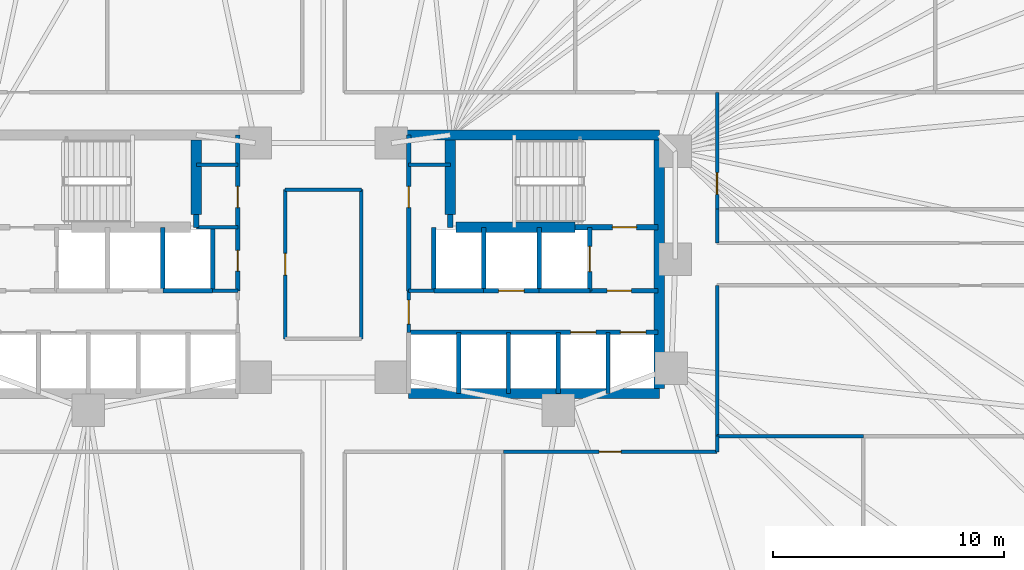
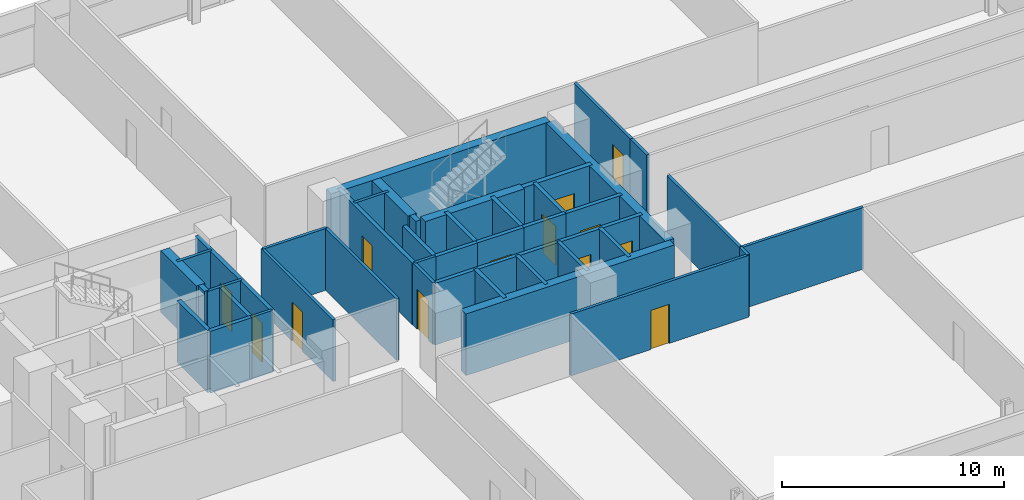
# One storey, part 13 of 17: 42 walls, 13 doors, 13 openings.
"""IFC4 building model written with IfcOpenShell, lengths in metres."""

from ifc_helpers import new_model, si_unit, direction, frame, frame_2d, origin, place, context, subcontext, project, spatial, rectangle, extrude, material, layer, layer_set, type_object, element, fill, save


model = new_model("IFC4")

# Units and contexts
model_context = context("Model", 3, precision=1e-05, world=origin(), true_north=direction((0.0, 1.0)))
body_context = subcontext(model_context, "Body", "Model", "MODEL_VIEW")
ifc_project = project(units=[si_unit("LENGTHUNIT", "METRE"), si_unit("AREAUNIT", "SQUARE_METRE"), si_unit("VOLUMEUNIT", "CUBIC_METRE"), si_unit("PLANEANGLEUNIT", "RADIAN"), si_unit("MASSUNIT", "GRAM", prefix="KILO")], contexts=[model_context])

# Site, building, storey
site_placement = place(None, origin())
site = spatial("IfcSite", under=ifc_project, at=site_placement, CompositionType="ELEMENT")
building_placement = place(site_placement, origin())
building = spatial("IfcBuilding", under=site, at=building_placement, Name="Menara Jurai Vektor", CompositionType="ELEMENT")
storey_placement = place(building_placement, frame((0.0, 0.0, 75.0)))
storey = spatial("IfcBuildingStorey", under=building, at=storey_placement, Name="L18", CompositionType="ELEMENT", Elevation=75.0)

# Wall
ifc_material_1 = material(Name="Concrete C40/50", Category="concrete")
ifc_layer_1 = layer(ifc_material_1, 0.25)
ifc_layer_set_1 = layer_set([ifc_layer_1], Name="Concrete C40/50")
wall_type_1 = type_object("IfcWallType", Name="INT-WALL-CORE-250", PredefinedType="STANDARD", material=ifc_layer_set_1)
wall_1_placement = place(storey_placement, frame((-5.5, 1.60009765625, 0.0), z_axis=(0.0, 0.0, 1.0), x_axis=(0.0, 1.0, 0.0)))
element("IfcWall", 1, at=wall_1_placement, inside=storey, type_object=wall_type_1, Name="Interior Wall IW-250 L18", PredefinedType="STANDARD", context=body_context, shape_type="SweptSolid", body=[
    extrude(rectangle(XDim=0.5498046875, YDim=0.25, at=frame_2d((0.27490234375, 0.0))), origin(), (0.0, 0.0, 1.0), 3.39990234375),
])

# Wall, opening, door
wall_2_placement = place(storey_placement, frame((10.89990234375, 1.60009765625, 0.0), z_axis=(0.0, 0.0, 1.0), x_axis=(1.0, 0.0, 0.0)))
wall_2 = element("IfcWall", 2, at=wall_2_placement, inside=storey, type_object=wall_type_1, Name="Interior Wall IW-250 L18", PredefinedType="STANDARD", context=body_context, shape_type="SweptSolid", body=[
    extrude(rectangle(XDim=3.60009765625, YDim=0.25, at=frame_2d((1.800048828125, 0.0))), origin(), (0.0, 0.0, 1.0), 3.39990234375),
])
opening_1_placement = place(wall_2_placement, frame((1.6201171875, 0.0, 0.0)))
opening_1 = element("IfcOpeningElement", 3, at=opening_1_placement, cuts=wall_2, Name="Opening D-L18-ST2", PredefinedType="OPENING", context=body_context, shape_type="SweptSolid", body=[
    extrude(rectangle(XDim=1.050048828125, YDim=2.14990234375, at=frame_2d((0.52490234375, 1.074951171875))), frame((0.0, 0.135009765625, 0.0), z_axis=(0.0, -1.0, 0.0), x_axis=(1.0, 0.0, 0.0)), (0.0, 0.0, 1.0), 0.27001953125),
])
ifc_material_2 = material(Name="Fire-Rated Steel Door", Category="steel")
door_type_1 = type_object("IfcDoorType", Name="DR-STAIR-1050", OperationType="NOTDEFINED", PredefinedType="DOOR", material=ifc_material_2)
door_1_placement = place(opening_1_placement, origin())
door_1 = element("IfcDoor", 4, at=door_1_placement, inside=storey, type_object=door_type_1, Name="Exit Stair ST2 Door L18", OperationType="SINGLE_SWING_LEFT", OverallHeight=2.14990234375, OverallWidth=1.050048828125, PredefinedType="DOOR", context=body_context, shape_type="SweptSolid", body=[
    extrude(rectangle(XDim=1.050048828125, YDim=2.14990234375, at=frame_2d((0.52490234375, 1.074951171875))), frame((0.0, 0.02490234375, 0.0), z_axis=(0.0, -1.0, 0.0), x_axis=(1.0, 0.0, 0.0)), (0.0, 0.0, 1.0), 0.050048828125),
])
fill(opening_1, door_1)

# Wall
wall_3_placement = place(storey_placement, frame((5.5, 1.60009765625, 0.0), z_axis=(0.0, 0.0, 1.0), x_axis=(0.0, 1.0, 0.0)))
element("IfcWall", 5, at=wall_3_placement, inside=storey, type_object=wall_type_1, Name="Interior Wall IW-250 L18", PredefinedType="STANDARD", context=body_context, shape_type="SweptSolid", body=[
    extrude(rectangle(XDim=0.5498046875, YDim=0.25, at=frame_2d((0.27490234375, 0.0))), origin(), (0.0, 0.0, 1.0), 3.39990234375),
])

# Wall, opening, door
wall_4_placement = place(storey_placement, frame((11.550048828125, -1.14990234375, 0.0), z_axis=(0.0, 0.0, 1.0), x_axis=(0.0, 1.0, 0.0)))
wall_4 = element("IfcWall", 6, at=wall_4_placement, inside=storey, type_object=wall_type_1, Name="Interior Wall IW-250 L18", PredefinedType="STANDARD", context=body_context, shape_type="SweptSolid", body=[
    extrude(rectangle(XDim=2.75, YDim=0.199951171875, at=frame_2d((1.375, 0.0))), origin(), (0.0, 0.0, 1.0), 3.39990234375),
])
opening_2_placement = place(wall_4_placement, frame((0.824951171875, 0.0, 0.0)))
opening_2 = element("IfcOpeningElement", 7, at=opening_2_placement, cuts=wall_4, Name="Opening LD-L18-FL2", PredefinedType="OPENING", context=body_context, shape_type="SweptSolid", body=[
    extrude(rectangle(XDim=1.10009765625, YDim=2.14990234375, at=frame_2d((0.550048828125, 1.074951171875))), frame((0.0, 0.10986328125, 0.0), z_axis=(0.0, -1.0, 0.0), x_axis=(1.0, 0.0, 0.0)), (0.0, 0.0, 1.0), 0.219970703125),
])
ifc_material_3 = material(Name="Stainless Steel Sliding Lift Landing Door", Category="steel")
door_type_2 = type_object("IfcDoorType", Name="DR-LIFT-FIRE-1100", OperationType="NOTDEFINED", PredefinedType="DOOR", material=ifc_material_3)
door_2_placement = place(opening_2_placement, origin())
door_2 = element("IfcDoor", 8, at=door_2_placement, inside=storey, type_object=door_type_2, Name="Lift Landing Door FL2 L18", OperationType="SLIDING_TO_RIGHT", OverallHeight=2.14990234375, OverallWidth=1.10009765625, PredefinedType="DOOR", context=body_context, shape_type="SweptSolid", body=[
    extrude(rectangle(XDim=1.10009765625, YDim=2.14990234375, at=frame_2d((0.550048828125, 1.074951171875))), frame((0.0, 0.02490234375, 0.0), z_axis=(0.0, -1.0, 0.0), x_axis=(1.0, 0.0, 0.0)), (0.0, 0.0, 1.0), 0.050048828125),
])
fill(opening_2, door_2)

# Wall
wall_5_placement = place(storey_placement, frame((9.35009765625, -1.14990234375, 0.0), z_axis=(0.0, 0.0, 1.0), x_axis=(0.0, 1.0, 0.0)))
element("IfcWall", 9, at=wall_5_placement, inside=storey, type_object=wall_type_1, Name="Interior Wall IW-250 L18", PredefinedType="STANDARD", context=body_context, shape_type="SweptSolid", body=[
    extrude(rectangle(XDim=2.75, YDim=0.199951171875, at=frame_2d((1.375, 0.0))), origin(), (0.0, 0.0, 1.0), 3.39990234375),
])

# Wall, opening, door
wall_6_placement = place(storey_placement, frame((11.550048828125, -1.14990234375, 0.0), z_axis=(0.0, 0.0, 1.0), x_axis=(1.0, 0.0, 0.0)))
wall_6 = element("IfcWall", 10, at=wall_6_placement, inside=storey, type_object=wall_type_1, Name="Interior Wall IW-250 L18", PredefinedType="STANDARD", context=body_context, shape_type="SweptSolid", body=[
    extrude(rectangle(XDim=2.949951171875, YDim=0.199951171875, at=frame_2d((1.47509765625, 0.0))), origin(), (0.0, 0.0, 1.0), 3.39990234375),
])
opening_3_placement = place(wall_6_placement, frame((0.75, 0.0, 0.0)))
opening_3 = element("IfcOpeningElement", 11, at=opening_3_placement, cuts=wall_6, Name="Opening D-L18-FFE", PredefinedType="OPENING", context=body_context, shape_type="SweptSolid", body=[
    extrude(rectangle(XDim=1.050048828125, YDim=2.179931640625, at=frame_2d((0.52490234375, 1.08984375))), frame((0.0, 0.10986328125, 0.0), z_axis=(0.0, -1.0, 0.0), x_axis=(1.0, 0.0, 0.0)), (0.0, 0.0, 1.0), 0.219970703125),
])
ifc_material_4 = material(Name="Fire-Rated Timber Door", Category="wood")
door_type_3 = type_object("IfcDoorType", Name="DR-LOBBY-1050", OperationType="NOTDEFINED", PredefinedType="DOOR", material=ifc_material_4)
door_3_placement = place(opening_3_placement, origin())
door_3 = element("IfcDoor", 12, at=door_3_placement, inside=storey, type_object=door_type_3, Name="Fire Lift Lobby Door E L18", OperationType="SINGLE_SWING_LEFT", OverallHeight=2.179931640625, OverallWidth=1.050048828125, PredefinedType="DOOR", context=body_context, shape_type="SweptSolid", body=[
    extrude(rectangle(XDim=1.050048828125, YDim=2.179931640625, at=frame_2d((0.52490234375, 1.08984375))), frame((0.0, 0.02490234375, 0.0), z_axis=(0.0, -1.0, 0.0), x_axis=(1.0, 0.0, 0.0)), (0.0, 0.0, 1.0), 0.050048828125),
])
fill(opening_3, door_3)

# Walls
wall_7_placement = place(storey_placement, frame((9.35009765625, -1.14990234375, 0.0), z_axis=(0.0, 0.0, 1.0), x_axis=(1.0, 0.0, 0.0)))
element("IfcWall", 13, at=wall_7_placement, inside=storey, type_object=wall_type_1, Name="Interior Wall IW-250 L18", PredefinedType="STANDARD", context=body_context, shape_type="SweptSolid", body=[
    extrude(rectangle(XDim=2.199951171875, YDim=0.199951171875, at=frame_2d((1.10009765625, 0.0))), origin(), (0.0, 0.0, 1.0), 3.39990234375),
])
ifc_material_5 = material(Name="Gypsum Fireboard Partition", Category="gypsum")
ifc_layer_2 = layer(ifc_material_5, 0.14990234375)
ifc_layer_set_2 = layer_set([ifc_layer_2], Name="Gypsum Fireboard Partition")
wall_type_2 = type_object("IfcWallType", Name="INT-WALL-CORR-150", PredefinedType="PARTITIONING", material=ifc_layer_set_2)
wall_8_placement = place(storey_placement, frame((-4.7900390625, -1.14990234375, 0.0), z_axis=(0.0, 0.0, 1.0), x_axis=(1.0, 0.0, 0.0)))
element("IfcWall", 14, at=wall_8_placement, inside=storey, type_object=wall_type_2, Name="Interior Wall IW-150 L18", PredefinedType="PARTITIONING", context=body_context, shape_type="SweptSolid", body=[
    extrude(rectangle(XDim=1.090087890625, YDim=0.14990234375, at=frame_2d((0.544921875, 0.0))), origin(), (0.0, 0.0, 1.0), 3.39990234375),
])

# Wall, opening, door
wall_9_placement = place(storey_placement, frame((3.699951171875, -2.949951171875, 0.0), z_axis=(0.0, 0.0, 1.0), x_axis=(0.0, 1.0, 0.0)))
wall_9 = element("IfcWall", 15, at=wall_9_placement, inside=storey, type_object=wall_type_2, Name="Interior Wall IW-150 L18", PredefinedType="PARTITIONING", context=body_context, shape_type="SweptSolid", body=[
    extrude(rectangle(XDim=1.800048828125, YDim=0.14990234375, at=frame_2d((0.89990234375, 0.0))), origin(), (0.0, 0.0, 1.0), 3.39990234375),
])
opening_4_placement = place(wall_9_placement, frame((0.35009765625, 0.0, 0.0)))
opening_4 = element("IfcOpeningElement", 16, at=opening_4_placement, cuts=wall_9, Name="Opening D-L18-LLE", PredefinedType="OPENING", context=body_context, shape_type="SweptSolid", body=[
    extrude(rectangle(XDim=1.050048828125, YDim=2.179931640625, at=frame_2d((0.52490234375, 1.08984375))), frame((0.0, 0.0849609375, 0.0), z_axis=(0.0, -1.0, 0.0), x_axis=(1.0, 0.0, 0.0)), (0.0, 0.0, 1.0), 0.169921875),
])
door_4_placement = place(opening_4_placement, frame((1.050048828125, 0.0, 0.0), z_axis=(0.0, 0.0, 1.0), x_axis=(-1.0, 0.0, 0.0)))
door_4 = element("IfcDoor", 17, at=door_4_placement, inside=storey, type_object=door_type_3, Name="Lift Lobby Corridor Door E L18", OperationType="SINGLE_SWING_RIGHT", OverallHeight=2.179931640625, OverallWidth=1.050048828125, PredefinedType="DOOR", context=body_context, shape_type="SweptSolid", body=[
    extrude(rectangle(XDim=1.050048828125, YDim=2.179931640625, at=frame_2d((0.52490234375, 1.08984375))), frame((0.0, 0.02490234375, 0.0), z_axis=(0.0, -1.0, 0.0), x_axis=(1.0, 0.0, 0.0)), (0.0, 0.0, 1.0), 0.050048828125),
])
fill(opening_4, door_4)

# Walls
wall_10_placement = place(storey_placement, frame((3.699951171875, -1.14990234375, 0.0), z_axis=(0.0, 0.0, 1.0), x_axis=(1.0, 0.0, 0.0)))
element("IfcWall", 18, at=wall_10_placement, inside=storey, type_object=wall_type_2, Name="Interior Wall IW-150 L18", PredefinedType="PARTITIONING", context=body_context, shape_type="SweptSolid", body=[
    extrude(rectangle(XDim=1.090087890625, YDim=0.14990234375, at=frame_2d((0.544921875, 0.0))), origin(), (0.0, 0.0, 1.0), 3.39990234375),
])
for number, where, z_axis, x_axis, name in (
    (19, (-5.5, 4.300048828125, 0.0), (0.0, 0.0, 1.0), (1.0, 0.0, 0.0), "Interior Wall IW-150 L18"),
    (20, (-5.5, 1.60009765625, 0.0), (0.0, 0.0, 1.0), (1.0, 0.0, 0.0), "Interior Wall IW-150 L18"),
    (21, (3.699951171875, 4.300048828125, 0.0), (0.0, 0.0, 1.0), (1.0, 0.0, 0.0), "Interior Wall IW-150 L18"),
):
    element("IfcWall", number, at=place(storey_placement, frame(where, z_axis=z_axis, x_axis=x_axis)), inside=storey, type_object=wall_type_2, Name=name, PredefinedType="PARTITIONING", context=body_context, shape_type="SweptSolid", body=[
        extrude(rectangle(XDim=1.800048828125, YDim=0.14990234375, at=frame_2d((0.89990234375, 0.0))), origin(), (0.0, 0.0, 1.0), 3.39990234375),
    ])

# Wall, opening, door
wall_11_placement = place(storey_placement, frame((-1.64990234375, -3.22998046875, 0.0), z_axis=(0.0, 0.0, 1.0), x_axis=(0.0, 1.0, 0.0)))
wall_11 = element("IfcWall", 22, at=wall_11_placement, inside=storey, type_object=wall_type_2, Name="Interior Wall IW-150 L18", PredefinedType="PARTITIONING", context=body_context, shape_type="SweptSolid", body=[
    extrude(rectangle(XDim=6.4599609375, YDim=0.14990234375, at=frame_2d((3.22998046875, 0.0))), origin(), (0.0, 0.0, 1.0), 3.39990234375),
])
opening_5_placement = place(wall_11_placement, frame((2.7548828125, 0.0, 0.0)))
opening_5 = element("IfcOpeningElement", 23, at=opening_5_placement, cuts=wall_11, Name="Opening D18-04", PredefinedType="OPENING", context=body_context, shape_type="SweptSolid", body=[
    extrude(rectangle(XDim=0.949951171875, YDim=2.14990234375, at=frame_2d((0.47509765625, 1.074951171875))), frame((0.0, 0.0849609375, 0.0), z_axis=(0.0, -1.0, 0.0), x_axis=(1.0, 0.0, 0.0)), (0.0, 0.0, 1.0), 0.169921875),
])
ifc_material_6 = material(Name="Solid Core Timber Fire Door", Category="wood")
door_type_4 = type_object("IfcDoorType", Name="DR-ENTRY-950", OperationType="NOTDEFINED", PredefinedType="DOOR", material=ifc_material_6)
door_5_placement = place(opening_5_placement, origin())
door_5 = element("IfcDoor", 24, at=door_5_placement, inside=storey, type_object=door_type_4, Name="Interior Door D18-04", OperationType="SINGLE_SWING_LEFT", OverallHeight=2.14990234375, OverallWidth=0.949951171875, PredefinedType="DOOR", context=body_context, shape_type="SweptSolid", body=[
    extrude(rectangle(XDim=0.949951171875, YDim=2.14990234375, at=frame_2d((0.47509765625, 1.074951171875))), frame((0.0, 0.02490234375, 0.0), z_axis=(0.0, -1.0, 0.0), x_axis=(1.0, 0.0, 0.0)), (0.0, 0.0, 1.0), 0.050048828125),
])
fill(opening_5, door_5)

# Walls
wall_12_placement = place(storey_placement, frame((-1.64990234375, 3.22998046875, 0.0), z_axis=(0.0, 0.0, 1.0), x_axis=(1.0, 0.0, 0.0)))
element("IfcWall", 25, at=wall_12_placement, inside=storey, type_object=wall_type_2, Name="Interior Wall IW-150 L18", PredefinedType="PARTITIONING", context=body_context, shape_type="SweptSolid", body=[
    extrude(rectangle(XDim=3.2998046875, YDim=0.14990234375, at=frame_2d((1.64990234375, 0.0))), origin(), (0.0, 0.0, 1.0), 3.39990234375),
])
wall_13_placement = place(storey_placement, frame((1.64990234375, -3.22998046875, 0.0), z_axis=(0.0, 0.0, 1.0), x_axis=(0.0, 1.0, 0.0)))
element("IfcWall", 26, at=wall_13_placement, inside=storey, type_object=wall_type_2, Name="Interior Wall IW-150 L18", PredefinedType="PARTITIONING", context=body_context, shape_type="SweptSolid", body=[
    extrude(rectangle(XDim=6.4599609375, YDim=0.14990234375, at=frame_2d((3.22998046875, 0.0))), origin(), (0.0, 0.0, 1.0), 3.39990234375),
])

# Wall, opening, door
wall_14_placement = place(storey_placement, frame((7.800048828125, -8.1298828125, 0.0), z_axis=(0.0, 0.0, 1.0), x_axis=(1.0, 0.0, 0.0)))
wall_14 = element("IfcWall", 27, at=wall_14_placement, inside=storey, type_object=wall_type_2, Name="Interior Wall IW-150 L18", PredefinedType="PARTITIONING", context=body_context, shape_type="SweptSolid", body=[
    extrude(rectangle(XDim=9.259033203125, YDim=0.14990234375, at=frame_2d((4.62939453125, 0.0))), origin(), (0.0, 0.0, 1.0), 3.39990234375),
])
opening_6_placement = place(wall_14_placement, frame((4.154541015625, 0.0, 0.0)))
opening_6 = element("IfcOpeningElement", 28, at=opening_6_placement, cuts=wall_14, Name="Opening D18-11", PredefinedType="OPENING", context=body_context, shape_type="SweptSolid", body=[
    extrude(rectangle(XDim=0.949951171875, YDim=2.14990234375, at=frame_2d((0.47509765625, 1.074951171875))), frame((0.0, 0.0849609375, 0.0), z_axis=(0.0, -1.0, 0.0), x_axis=(1.0, 0.0, 0.0)), (0.0, 0.0, 1.0), 0.169921875),
])
door_6_placement = place(opening_6_placement, origin())
door_6 = element("IfcDoor", 29, at=door_6_placement, inside=storey, type_object=door_type_4, Name="Interior Door D18-11", OperationType="SINGLE_SWING_RIGHT", OverallHeight=2.14990234375, OverallWidth=0.949951171875, PredefinedType="DOOR", context=body_context, shape_type="SweptSolid", body=[
    extrude(rectangle(XDim=0.949951171875, YDim=2.14990234375, at=frame_2d((0.47509765625, 1.074951171875))), frame((0.0, 0.02490234375, 0.0), z_axis=(0.0, -1.0, 0.0), x_axis=(1.0, 0.0, 0.0)), (0.0, 0.0, 1.0), 0.050048828125),
])
fill(opening_6, door_6)

# Walls
wall_15_placement = place(storey_placement, frame((17.05908203125, -8.1298828125, 0.0), z_axis=(0.0, 0.0, 1.0), x_axis=(0.0, 1.0, 0.0)))
element("IfcWall", 30, at=wall_15_placement, inside=storey, type_object=wall_type_2, Name="Interior Wall IW-150 L18", PredefinedType="PARTITIONING", context=body_context, shape_type="SweptSolid", body=[
    extrude(rectangle(XDim=0.679931640625, YDim=0.14990234375, at=frame_2d((0.33984375, 0.0))), origin(), (0.0, 0.0, 1.0), 3.39990234375),
])
wall_16_placement = place(storey_placement, frame((17.05908203125, -7.449951171875, 0.0), z_axis=(0.0, 0.0, 1.0), x_axis=(0.0, 1.0, 0.0)))
element("IfcWall", 31, at=wall_16_placement, inside=storey, type_object=wall_type_2, Name="Interior Wall IW-150 L18", PredefinedType="PARTITIONING", context=body_context, shape_type="SweptSolid", body=[
    extrude(rectangle(XDim=6.530029296875, YDim=0.14990234375, at=frame_2d((3.26513671875, 0.0))), origin(), (0.0, 0.0, 1.0), 3.39990234375),
])
wall_17_placement = place(storey_placement, frame((17.05908203125, 0.919921875, 0.0), z_axis=(0.0, 0.0, 1.0), x_axis=(0.0, 1.0, 0.0)))
element("IfcWall", 32, at=wall_17_placement, inside=storey, type_object=wall_type_2, Name="Interior Wall IW-150 L18", PredefinedType="PARTITIONING", context=body_context, shape_type="SweptSolid", body=[
    extrude(rectangle(XDim=1.464111328125, YDim=0.14990234375, at=frame_2d((0.73193359375, 0.0))), origin(), (0.0, 0.0, 1.0), 3.39990234375),
])

# Wall, opening, door
wall_18_placement = place(storey_placement, frame((17.05908203125, 2.384033203125, 0.0), z_axis=(0.0, 0.0, 1.0), x_axis=(0.0, 1.0, 0.0)))
wall_18 = element("IfcWall", 33, at=wall_18_placement, inside=storey, type_object=wall_type_2, Name="Interior Wall IW-150 L18", PredefinedType="PARTITIONING", context=body_context, shape_type="SweptSolid", body=[
    extrude(rectangle(XDim=5.06591796875, YDim=0.14990234375, at=frame_2d((2.532958984375, 0.0))), origin(), (0.0, 0.0, 1.0), 3.39990234375),
])
opening_7_placement = place(wall_18_placement, frame((0.639404296875, 0.0, 0.0)))
opening_7 = element("IfcOpeningElement", 34, at=opening_7_placement, cuts=wall_18, Name="Opening D18-17", PredefinedType="OPENING", context=body_context, shape_type="SweptSolid", body=[
    extrude(rectangle(XDim=0.949951171875, YDim=2.14990234375, at=frame_2d((0.47509765625, 1.074951171875))), frame((0.0, 0.0849609375, 0.0), z_axis=(0.0, -1.0, 0.0), x_axis=(1.0, 0.0, 0.0)), (0.0, 0.0, 1.0), 0.169921875),
])
door_7_placement = place(opening_7_placement, origin())
door_7 = element("IfcDoor", 35, at=door_7_placement, inside=storey, type_object=door_type_4, Name="Interior Door D18-17", OperationType="SINGLE_SWING_RIGHT", OverallHeight=2.14990234375, OverallWidth=0.949951171875, PredefinedType="DOOR", context=body_context, shape_type="SweptSolid", body=[
    extrude(rectangle(XDim=0.949951171875, YDim=2.14990234375, at=frame_2d((0.47509765625, 1.074951171875))), frame((0.0, 0.02490234375, 0.0), z_axis=(0.0, -1.0, 0.0), x_axis=(1.0, 0.0, 0.0)), (0.0, 0.0, 1.0), 0.050048828125),
])
fill(opening_7, door_7)

# Wall
wall_19_placement = place(storey_placement, frame((17.05908203125, -7.449951171875, 0.0), z_axis=(0.0, 0.0, 1.0), x_axis=(1.0, 0.0, 0.0)))
element("IfcWall", 36, at=wall_19_placement, inside=storey, type_object=wall_type_2, Name="Interior Wall IW-150 L18", PredefinedType="PARTITIONING", context=body_context, shape_type="SweptSolid", body=[
    extrude(rectangle(XDim=6.3408203125, YDim=0.14990234375, at=frame_2d((3.17041015625, 0.0))), origin(), (0.0, 0.0, 1.0), 3.39990234375),
])

# Wall, openings, doors
ifc_layer_3 = layer(ifc_material_1, 0.199951171875)
ifc_layer_set_3 = layer_set([ifc_layer_3], Name="Concrete C40/50")
wall_type_3 = type_object("IfcWallType", Name="INT-WALL-SHAFT-200", PredefinedType="STANDARD", material=ifc_layer_set_3)
wall_20_placement = place(storey_placement, frame((-3.699951171875, -1.14990234375, 0.0), z_axis=(0.0, 0.0, 1.0), x_axis=(0.0, 1.0, 0.0)))
wall_20 = element("IfcWall", 37, at=wall_20_placement, inside=storey, type_object=wall_type_3, Name="Interior Wall IW-200 L18", PredefinedType="STANDARD", context=body_context, shape_type="SweptSolid", body=[
    extrude(rectangle(XDim=6.75, YDim=0.199951171875, at=frame_2d((3.375, 0.0))), origin(), (0.0, 0.0, 1.0), 3.39990234375),
])
opening_8_placement = place(wall_20_placement, frame((3.60009765625, 0.0, 0.0)))
opening_8 = element("IfcOpeningElement", 38, at=opening_8_placement, cuts=wall_20, Name="Opening D18-01", PredefinedType="OPENING", context=body_context, shape_type="SweptSolid", body=[
    extrude(rectangle(XDim=0.919921875, YDim=2.14990234375, at=frame_2d((0.4599609375, 1.074951171875))), frame((0.0, 0.10986328125, 0.0), z_axis=(0.0, -1.0, 0.0), x_axis=(1.0, 0.0, 0.0)), (0.0, 0.0, 1.0), 0.219970703125),
])
opening_9_placement = place(wall_20_placement, frame((0.85009765625, 0.0, 0.0)))
opening_9 = element("IfcOpeningElement", 39, at=opening_9_placement, cuts=wall_20, Name="Opening D18-02", PredefinedType="OPENING", context=body_context, shape_type="SweptSolid", body=[
    extrude(rectangle(XDim=0.89990234375, YDim=2.14990234375, at=frame_2d((0.449951171875, 1.074951171875))), frame((0.0, 0.10986328125, 0.0), z_axis=(0.0, -1.0, 0.0), x_axis=(1.0, 0.0, 0.0)), (0.0, 0.0, 1.0), 0.219970703125),
])
door_8_placement = place(opening_8_placement, origin())
door_8 = element("IfcDoor", 40, at=door_8_placement, inside=storey, type_object=door_type_4, Name="Interior Door D18-01", OperationType="SINGLE_SWING_LEFT", OverallHeight=2.14990234375, OverallWidth=0.919921875, PredefinedType="DOOR", context=body_context, shape_type="SweptSolid", body=[
    extrude(rectangle(XDim=0.919921875, YDim=2.14990234375, at=frame_2d((0.4599609375, 1.074951171875))), frame((0.0, 0.02490234375, 0.0), z_axis=(0.0, -1.0, 0.0), x_axis=(1.0, 0.0, 0.0)), (0.0, 0.0, 1.0), 0.050048828125),
])
fill(opening_8, door_8)
door_9_placement = place(opening_9_placement, origin())
door_9 = element("IfcDoor", 41, at=door_9_placement, inside=storey, type_object=door_type_4, Name="Interior Door D18-02", OperationType="SINGLE_SWING_LEFT", OverallHeight=2.14990234375, OverallWidth=0.89990234375, PredefinedType="DOOR", context=body_context, shape_type="SweptSolid", body=[
    extrude(rectangle(XDim=0.89990234375, YDim=2.14990234375, at=frame_2d((0.449951171875, 1.074951171875))), frame((0.0, 0.02490234375, 0.0), z_axis=(0.0, -1.0, 0.0), x_axis=(1.0, 0.0, 0.0)), (0.0, 0.0, 1.0), 0.050048828125),
])
fill(opening_9, door_9)

# Walls
for number, where, z_axis, x_axis, name in (
    (42, (-6.949951171875, -1.14990234375, 0.0), (0.0, 0.0, 1.0), (0.0, 1.0, 0.0), "Interior Wall IW-200 L18"),
    (43, (-4.7900390625, -1.14990234375, 0.0), (0.0, 0.0, 1.0), (0.0, 1.0, 0.0), "Interior Wall IW-200 L18"),
):
    element("IfcWall", number, at=place(storey_placement, frame(where, z_axis=z_axis, x_axis=x_axis)), inside=storey, type_object=wall_type_3, Name=name, PredefinedType="STANDARD", context=body_context, shape_type="SweptSolid", body=[
        extrude(rectangle(XDim=2.75, YDim=0.199951171875, at=frame_2d((1.375, 0.0))), origin(), (0.0, 0.0, 1.0), 3.39990234375),
    ])
wall_21_placement = place(storey_placement, frame((-6.949951171875, -1.14990234375, 0.0), z_axis=(0.0, 0.0, 1.0), x_axis=(1.0, 0.0, 0.0)))
element("IfcWall", 44, at=wall_21_placement, inside=storey, type_object=wall_type_3, Name="Interior Wall IW-200 L18", PredefinedType="STANDARD", context=body_context, shape_type="SweptSolid", body=[
    extrude(rectangle(XDim=2.159912109375, YDim=0.199951171875, at=frame_2d((1.080078125, 0.0))), origin(), (0.0, 0.0, 1.0), 3.39990234375),
])

# Wall, opening, door
wall_22_placement = place(storey_placement, frame((3.699951171875, -1.14990234375, 0.0), z_axis=(0.0, 0.0, 1.0), x_axis=(0.0, 1.0, 0.0)))
wall_22 = element("IfcWall", 45, at=wall_22_placement, inside=storey, type_object=wall_type_3, Name="Interior Wall IW-200 L18", PredefinedType="STANDARD", context=body_context, shape_type="SweptSolid", body=[
    extrude(rectangle(XDim=6.75, YDim=0.199951171875, at=frame_2d((3.375, 0.0))), origin(), (0.0, 0.0, 1.0), 3.39990234375),
])
opening_10_placement = place(wall_22_placement, frame((3.60009765625, 0.0, 0.0)))
opening_10 = element("IfcOpeningElement", 46, at=opening_10_placement, cuts=wall_22, Name="Opening D18-03", PredefinedType="OPENING", context=body_context, shape_type="SweptSolid", body=[
    extrude(rectangle(XDim=0.919921875, YDim=2.14990234375, at=frame_2d((0.4599609375, 1.074951171875))), frame((0.0, 0.10986328125, 0.0), z_axis=(0.0, -1.0, 0.0), x_axis=(1.0, 0.0, 0.0)), (0.0, 0.0, 1.0), 0.219970703125),
])
door_10_placement = place(opening_10_placement, origin())
door_10 = element("IfcDoor", 47, at=door_10_placement, inside=storey, type_object=door_type_4, Name="Interior Door D18-03", OperationType="SINGLE_SWING_RIGHT", OverallHeight=2.14990234375, OverallWidth=0.919921875, PredefinedType="DOOR", context=body_context, shape_type="SweptSolid", body=[
    extrude(rectangle(XDim=0.919921875, YDim=2.14990234375, at=frame_2d((0.4599609375, 1.074951171875))), frame((0.0, 0.02490234375, 0.0), z_axis=(0.0, -1.0, 0.0), x_axis=(1.0, 0.0, 0.0)), (0.0, 0.0, 1.0), 0.050048828125),
])
fill(opening_10, door_10)

# Wall
wall_23_placement = place(storey_placement, frame((6.949951171875, -1.14990234375, 0.0), z_axis=(0.0, 0.0, 1.0), x_axis=(0.0, 1.0, 0.0)))
element("IfcWall", 48, at=wall_23_placement, inside=storey, type_object=wall_type_3, Name="Interior Wall IW-200 L18", PredefinedType="STANDARD", context=body_context, shape_type="SweptSolid", body=[
    extrude(rectangle(XDim=2.75, YDim=0.199951171875, at=frame_2d((1.375, 0.0))), origin(), (0.0, 0.0, 1.0), 3.39990234375),
])

# Wall, opening, door
wall_24_placement = place(storey_placement, frame((6.949951171875, -1.14990234375, 0.0), z_axis=(0.0, 0.0, 1.0), x_axis=(1.0, 0.0, 0.0)))
wall_24 = element("IfcWall", 49, at=wall_24_placement, inside=storey, type_object=wall_type_3, Name="Interior Wall IW-200 L18", PredefinedType="STANDARD", context=body_context, shape_type="SweptSolid", body=[
    extrude(rectangle(XDim=2.400146484375, YDim=0.199951171875, at=frame_2d((1.2001953125, 0.0))), origin(), (0.0, 0.0, 1.0), 3.39990234375),
])
opening_11_placement = place(wall_24_placement, frame((0.64990234375, 0.0, 0.0)))
opening_11 = element("IfcOpeningElement", 50, at=opening_11_placement, cuts=wall_24, Name="Opening LD-L18-SVL2", PredefinedType="OPENING", context=body_context, shape_type="SweptSolid", body=[
    extrude(rectangle(XDim=1.10009765625, YDim=2.14990234375, at=frame_2d((0.550048828125, 1.074951171875))), frame((0.0, 0.10986328125, 0.0), z_axis=(0.0, -1.0, 0.0), x_axis=(1.0, 0.0, 0.0)), (0.0, 0.0, 1.0), 0.219970703125),
])
ifc_material_7 = material(Name="Anodised Stainless Sliding Lift Landing Door", Category="steel")
door_type_5 = type_object("IfcDoorType", Name="DR-LIFT-PASS-1100", OperationType="NOTDEFINED", PredefinedType="DOOR", material=ifc_material_7)
door_11_placement = place(opening_11_placement, origin())
door_11 = element("IfcDoor", 51, at=door_11_placement, inside=storey, type_object=door_type_5, Name="Lift Landing Door SVL2 L18", OperationType="SLIDING_TO_RIGHT", OverallHeight=2.14990234375, OverallWidth=1.10009765625, PredefinedType="DOOR", context=body_context, shape_type="SweptSolid", body=[
    extrude(rectangle(XDim=1.10009765625, YDim=2.14990234375, at=frame_2d((0.550048828125, 1.074951171875))), frame((0.0, 0.02490234375, 0.0), z_axis=(0.0, -1.0, 0.0), x_axis=(1.0, 0.0, 0.0)), (0.0, 0.0, 1.0), 0.050048828125),
])
fill(opening_11, door_11)

# Walls
wall_25_placement = place(storey_placement, frame((4.7900390625, -1.14990234375, 0.0), z_axis=(0.0, 0.0, 1.0), x_axis=(0.0, 1.0, 0.0)))
element("IfcWall", 52, at=wall_25_placement, inside=storey, type_object=wall_type_3, Name="Interior Wall IW-200 L18", PredefinedType="STANDARD", context=body_context, shape_type="SweptSolid", body=[
    extrude(rectangle(XDim=2.75, YDim=0.199951171875, at=frame_2d((1.375, 0.0))), origin(), (0.0, 0.0, 1.0), 3.39990234375),
])
wall_26_placement = place(storey_placement, frame((4.7900390625, -1.14990234375, 0.0), z_axis=(0.0, 0.0, 1.0), x_axis=(1.0, 0.0, 0.0)))
element("IfcWall", 53, at=wall_26_placement, inside=storey, type_object=wall_type_3, Name="Interior Wall IW-200 L18", PredefinedType="STANDARD", context=body_context, shape_type="SweptSolid", body=[
    extrude(rectangle(XDim=2.159912109375, YDim=0.199951171875, at=frame_2d((1.080078125, 0.0))), origin(), (0.0, 0.0, 1.0), 3.39990234375),
])

# Wall, openings, doors
wall_27_placement = place(storey_placement, frame((3.699951171875, -2.949951171875, 0.0), z_axis=(0.0, 0.0, 1.0), x_axis=(1.0, 0.0, 0.0)))
wall_27 = element("IfcWall", 54, at=wall_27_placement, inside=storey, type_object=wall_type_3, Name="Interior Wall IW-200 L18", PredefinedType="STANDARD", context=body_context, shape_type="SweptSolid", body=[
    extrude(rectangle(XDim=10.800048828125, YDim=0.199951171875, at=frame_2d((5.39990234375, 0.0))), origin(), (0.0, 0.0, 1.0), 3.39990234375),
])
opening_12_placement = place(wall_27_placement, frame((7.010009765625, 0.0, 0.0)))
opening_12 = element("IfcOpeningElement", 55, at=opening_12_placement, cuts=wall_27, Name="Opening LD-L18-PL3", PredefinedType="OPENING", context=body_context, shape_type="SweptSolid", body=[
    extrude(rectangle(XDim=1.10009765625, YDim=2.14990234375, at=frame_2d((0.550048828125, 1.074951171875))), frame((0.0, 0.10986328125, 0.0), z_axis=(0.0, -1.0, 0.0), x_axis=(1.0, 0.0, 0.0)), (0.0, 0.0, 1.0), 0.219970703125),
])
opening_13_placement = place(wall_27_placement, frame((9.169921875, 0.0, 0.0)))
opening_13 = element("IfcOpeningElement", 56, at=opening_13_placement, cuts=wall_27, Name="Opening LD-L18-PL4", PredefinedType="OPENING", context=body_context, shape_type="SweptSolid", body=[
    extrude(rectangle(XDim=1.10009765625, YDim=2.14990234375, at=frame_2d((0.550048828125, 1.074951171875))), frame((0.0, 0.10986328125, 0.0), z_axis=(0.0, -1.0, 0.0), x_axis=(1.0, 0.0, 0.0)), (0.0, 0.0, 1.0), 0.219970703125),
])
door_12_placement = place(opening_12_placement, origin())
door_12 = element("IfcDoor", 57, at=door_12_placement, inside=storey, type_object=door_type_5, Name="Lift Landing Door PL3 L18", OperationType="SLIDING_TO_RIGHT", OverallHeight=2.14990234375, OverallWidth=1.10009765625, PredefinedType="DOOR", context=body_context, shape_type="SweptSolid", body=[
    extrude(rectangle(XDim=1.10009765625, YDim=2.14990234375, at=frame_2d((0.550048828125, 1.074951171875))), frame((0.0, 0.02490234375, 0.0), z_axis=(0.0, -1.0, 0.0), x_axis=(1.0, 0.0, 0.0)), (0.0, 0.0, 1.0), 0.050048828125),
])
fill(opening_12, door_12)
door_13_placement = place(opening_13_placement, origin())
door_13 = element("IfcDoor", 58, at=door_13_placement, inside=storey, type_object=door_type_5, Name="Lift Landing Door PL4 L18", OperationType="SLIDING_TO_LEFT", OverallHeight=2.14990234375, OverallWidth=1.10009765625, PredefinedType="DOOR", context=body_context, shape_type="SweptSolid", body=[
    extrude(rectangle(XDim=1.10009765625, YDim=2.14990234375, at=frame_2d((0.550048828125, 1.074951171875))), frame((0.0, 0.02490234375, 0.0), z_axis=(0.0, -1.0, 0.0), x_axis=(1.0, 0.0, 0.0)), (0.0, 0.0, 1.0), 0.050048828125),
])
fill(opening_13, door_13)

# Walls
wall_28_placement = place(storey_placement, frame((5.860107421875, -5.60009765625, 0.0), z_axis=(0.0, 0.0, 1.0), x_axis=(0.0, 1.0, 0.0)))
element("IfcWall", 59, at=wall_28_placement, inside=storey, type_object=wall_type_3, Name="Interior Wall IW-200 L18", PredefinedType="STANDARD", context=body_context, shape_type="SweptSolid", body=[
    extrude(rectangle(XDim=2.650146484375, YDim=0.199951171875, at=frame_2d((1.3251953125, 0.0))), origin(), (0.0, 0.0, 1.0), 3.39990234375),
])
for number, where, z_axis, x_axis, name in (
    (60, (12.340087890625, -5.60009765625, 0.0), (0.0, 0.0, 1.0), (0.0, 1.0, 0.0), "Interior Wall IW-200 L18"),
    (61, (10.179931640625, -5.60009765625, 0.0), (0.0, 0.0, 1.0), (0.0, 1.0, 0.0), "Interior Wall IW-200 L18"),
    (62, (8.02001953125, -5.60009765625, 0.0), (0.0, 0.0, 1.0), (0.0, 1.0, 0.0), "Interior Wall IW-200 L18"),
):
    element("IfcWall", number, at=place(storey_placement, frame(where, z_axis=z_axis, x_axis=x_axis)), inside=storey, type_object=wall_type_3, Name=name, PredefinedType="STANDARD", context=body_context, shape_type="SweptSolid", body=[
        extrude(rectangle(XDim=2.650146484375, YDim=0.179931640625, at=frame_2d((1.3251953125, 0.0))), origin(), (0.0, 0.0, 1.0), 3.39990234375),
    ])
ifc_material_8 = material(Name="Concrete C60/75", Category="concrete")
ifc_layer_4 = layer(ifc_material_8, 0.449951171875)
ifc_layer_set_4 = layer_set([ifc_layer_4], Name="Concrete C60/75")
wall_type_4 = type_object("IfcWallType", Name="STR-WALL-CORE450", PredefinedType="SHEAR", material=ifc_layer_set_4)
wall_29_placement = place(storey_placement, frame((-5.5, 2.14990234375, 0.0), z_axis=(0.0, 0.0, 1.0), x_axis=(0.0, 1.0, 0.0)))
element("IfcWall", 63, at=wall_29_placement, inside=storey, type_object=wall_type_4, Name="Core Shear Wall CW-W-ST L18", PredefinedType="SHEAR", context=body_context, shape_type="SweptSolid", body=[
    extrude(rectangle(XDim=3.22509765625, YDim=0.449951171875, at=frame_2d((1.612548828125, 0.0))), origin(), (0.0, 0.0, 1.0), 3.39990234375),
])
wall_30_placement = place(storey_placement, frame((3.14990234375, 5.60009765625, 0.0), z_axis=(0.0, 0.0, 1.0), x_axis=(1.0, 0.0, 0.0)))
element("IfcWall", 64, at=wall_30_placement, inside=storey, type_object=wall_type_4, Name="Core Shear Wall CW-E-N L18", PredefinedType="SHEAR", context=body_context, shape_type="SweptSolid", body=[
    extrude(rectangle(XDim=11.41015625, YDim=0.449951171875, at=frame_2d((5.705078125, 0.0))), origin(), (0.0, 0.0, 1.0), 3.39990234375),
])
wall_31_placement = place(storey_placement, frame((3.699951171875, -5.60009765625, 0.0), z_axis=(0.0, 0.0, 1.0), x_axis=(1.0, 0.0, 0.0)))
element("IfcWall", 65, at=wall_31_placement, inside=storey, type_object=wall_type_4, Name="Core Shear Wall CW-E-S L18", PredefinedType="SHEAR", context=body_context, shape_type="SweptSolid", body=[
    extrude(rectangle(XDim=10.860107421875, YDim=0.449951171875, at=frame_2d((5.43017578125, 0.0))), origin(), (0.0, 0.0, 1.0), 3.39990234375),
])
wall_32_placement = place(storey_placement, frame((14.56005859375, -5.375, 0.0), z_axis=(0.0, 0.0, 1.0), x_axis=(0.0, 1.0, 0.0)))
element("IfcWall", 66, at=wall_32_placement, inside=storey, type_object=wall_type_4, Name="Core Shear Wall CW-E-E L18", PredefinedType="SHEAR", context=body_context, shape_type="SweptSolid", body=[
    extrude(rectangle(XDim=10.75, YDim=0.449951171875, at=frame_2d((5.375, 0.0))), origin(), (0.0, 0.0, 1.0), 3.39990234375),
])
wall_33_placement = place(storey_placement, frame((5.5, 2.14990234375, 0.0), z_axis=(0.0, 0.0, 1.0), x_axis=(0.0, 1.0, 0.0)))
element("IfcWall", 67, at=wall_33_placement, inside=storey, type_object=wall_type_4, Name="Core Shear Wall CW-E-ST L18", PredefinedType="SHEAR", context=body_context, shape_type="SweptSolid", body=[
    extrude(rectangle(XDim=3.22509765625, YDim=0.449951171875, at=frame_2d((1.612548828125, 0.0))), origin(), (0.0, 0.0, 1.0), 3.39990234375),
])
wall_34_placement = place(storey_placement, frame((5.75, 1.60009765625, 0.0), z_axis=(0.0, 0.0, 1.0), x_axis=(1.0, 0.0, 0.0)))
element("IfcWall", 68, at=wall_34_placement, inside=storey, type_object=wall_type_4, Name="Core Shear Wall CW-E-STS L18", PredefinedType="SHEAR", context=body_context, shape_type="SweptSolid", body=[
    extrude(rectangle(XDim=5.14990234375, YDim=0.449951171875, at=frame_2d((2.574951171875, 0.0))), origin(), (0.0, 0.0, 1.0), 3.39990234375),
])

save(model, "model.ifc")
